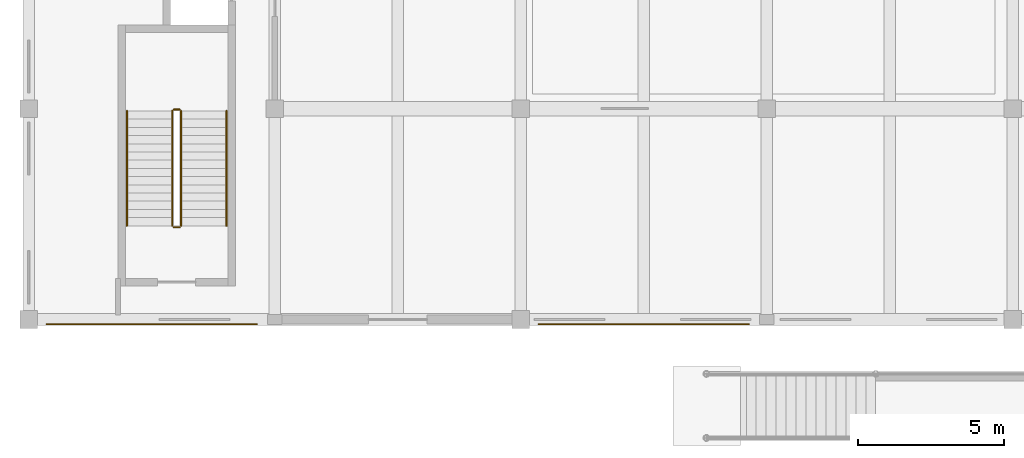
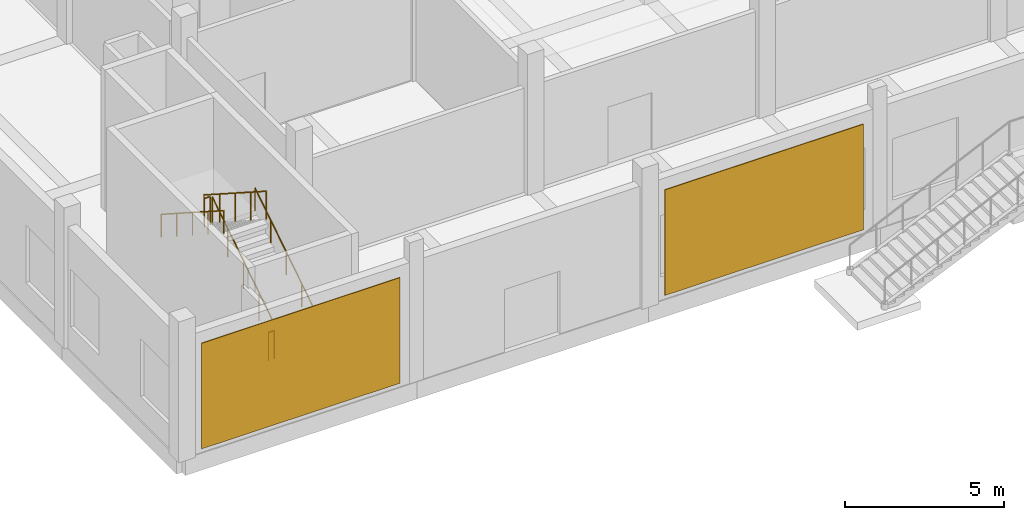
# One storey, part 31 of 41: 6 railings, 2 coverings.
"""IFC4 building model written with IfcOpenShell, lengths in metres."""

from ifc_helpers import new_model, si_unit, direction, frame, origin, origin_2d, place, context, subcontext, project, spatial, polyline, circle, outline, extrude, material, layer, layer_set, type_object, element, save


model = new_model("IFC4")

# Units and contexts
model_context = context("Model", 3, precision=1e-05, world=origin(), true_north=direction((0.0, 1.0)))
body_context = subcontext(model_context, "Body", "Model", "MODEL_VIEW")
ifc_project = project(units=[si_unit("LENGTHUNIT", "METRE"), si_unit("AREAUNIT", "SQUARE_METRE"), si_unit("VOLUMEUNIT", "CUBIC_METRE"), si_unit("PLANEANGLEUNIT", "RADIAN"), si_unit("MASSUNIT", "GRAM", prefix="KILO")], contexts=[model_context])

# Site, building, storey
site_placement = place(None, origin())
site = spatial("IfcSite", under=ifc_project, at=site_placement, CompositionType="ELEMENT")
building_placement = place(site_placement, origin())
building = spatial("IfcBuilding", under=site, at=building_placement, Name="Kahlenmark Community Centre", CompositionType="ELEMENT")
storey_placement = place(building_placement, origin())
storey = spatial("IfcBuildingStorey", under=building, at=storey_placement, Name="L00", CompositionType="ELEMENT", Elevation=0.0)

# Coverings
ifc_material_1 = material(Name="Honed Danube limestone plinth cladding", Category="masonry")
ifc_layer = layer(ifc_material_1, 0.0400390625)
ifc_layer_set = layer_set([ifc_layer], Name="Honed Danube limestone plinth cladding")
covering_type = type_object("IfcCoveringType", Name="CVT-CLAD-LIME", PredefinedType="CLADDING", material=ifc_layer_set)
covering_1_placement = place(storey_placement, frame((0.0, 0.0, 0.14990234375)))
element("IfcCovering", 1, at=covering_1_placement, inside=storey, type_object=covering_type, Name="Danube limestone plinth cladding 01", PredefinedType="CLADDING", context=body_context, shape_type="SweptSolid", body=[
    extrude(outline(polyline([(4.60009765625, 8.6201171875), (11.800048828125, 8.6201171875), (11.800048828125, 8.659912109375), (4.60009765625, 8.659912109375), (4.60009765625, 8.6201171875)])), origin(), (0.0, 0.0, 1.0), 4.050048828125),
])
covering_2_placement = place(storey_placement, frame((0.0, 0.0, 0.14990234375)))
element("IfcCovering", 2, at=covering_2_placement, inside=storey, type_object=covering_type, Name="Danube limestone plinth cladding 02", PredefinedType="CLADDING", context=body_context, shape_type="SweptSolid", body=[
    extrude(outline(polyline([(21.39990234375, 8.6201171875), (28.60009765625, 8.6201171875), (28.60009765625, 8.659912109375), (21.39990234375, 8.659912109375), (21.39990234375, 8.6201171875)])), origin(), (0.0, 0.0, 1.0), 4.050048828125),
])

# Railings
ifc_material_2 = material(Name="Brushed stainless steel 1.4301 handrail", Category="steel")
railing_type_1 = type_object("IfcRailingType", Name="RLT-HR-900", PredefinedType="HANDRAIL", material=ifc_material_2)
railing_1_placement = place(storey_placement, frame((10.75, 12.0, 0.179931640625)))
element("IfcRailing", 3, at=railing_1_placement, inside=storey, type_object=railing_type_1, Name="L00 ST-01 stair handrail 1", PredefinedType="HANDRAIL", context=body_context, shape_type="SweptSolid", body=[
    extrude(circle(Radius=0.02392578125, at=origin_2d()), frame((0.0, 0.0, 0.8759765625), z_axis=(0.0, 0.841171666519, 0.540768182723), x_axis=(-1.0, 0.0, 0.0)), (0.0, 0.0, 1.0), 4.66015625),
    extrude(circle(Radius=0.02099609375, at=origin_2d()), origin(), (0.0, 0.0, 1.0), 0.851806640625),
    extrude(circle(Radius=0.02099609375, at=origin_2d()), frame((0.0, 0.97998046875, 0.6298828125)), (0.0, 0.0, 1.0), 0.851806640625),
    extrude(circle(Radius=0.02099609375, at=origin_2d()), frame((0.0, 1.9599609375, 1.260009765625)), (0.0, 0.0, 1.0), 0.851806640625),
    extrude(circle(Radius=0.02099609375, at=origin_2d()), frame((0.0, 2.93994140625, 1.89013671875)), (0.0, 0.0, 1.0), 0.851806640625),
    extrude(circle(Radius=0.02099609375, at=origin_2d()), frame((0.0, 3.919921875, 2.52001953125)), (0.0, 0.0, 1.0), 0.851806640625),
])
railing_2_placement = place(storey_placement, frame((7.35009765625, 15.919921875, 2.8798828125)))
element("IfcRailing", 4, at=railing_2_placement, inside=storey, type_object=railing_type_1, Name="L00 ST-01 stair handrail 2", PredefinedType="HANDRAIL", context=body_context, shape_type="SweptSolid", body=[
    extrude(circle(Radius=0.02392578125, at=origin_2d()), frame((0.0, 0.0, 0.8759765625), z_axis=(0.0, -0.841171666519, 0.540768182723), x_axis=(1.0, 0.0, 0.0)), (0.0, 0.0, 1.0), 4.66015625),
    extrude(circle(Radius=0.02099609375, at=origin_2d()), origin(), (0.0, 0.0, 1.0), 0.851806640625),
    extrude(circle(Radius=0.02099609375, at=origin_2d()), frame((0.0, -0.97998046875, 0.6298828125)), (0.0, 0.0, 1.0), 0.851806640625),
    extrude(circle(Radius=0.02099609375, at=origin_2d()), frame((0.0, -1.9599609375, 1.260009765625)), (0.0, 0.0, 1.0), 0.851806640625),
    extrude(circle(Radius=0.02099609375, at=origin_2d()), frame((0.0, -2.93994140625, 1.89013671875)), (0.0, 0.0, 1.0), 0.851806640625),
    extrude(circle(Radius=0.02099609375, at=origin_2d()), frame((0.0, -3.919921875, 2.52001953125)), (0.0, 0.0, 1.0), 0.851806640625),
])
ifc_material_3 = material(Name="Powder-coated steel stair well guard", Category="steel")
railing_type_2 = type_object("IfcRailingType", Name="RLT-SG-1120", PredefinedType="GUARDRAIL", material=ifc_material_3)
railing_3_placement = place(storey_placement, frame((9.199951171875, 12.0, 0.179931640625)))
element("IfcRailing", 5, at=railing_3_placement, inside=storey, type_object=railing_type_2, Name="L00 ST-01 stair guard 1", PredefinedType="GUARDRAIL", context=body_context, shape_type="SweptSolid", body=[
    extrude(circle(Radius=0.02392578125, at=origin_2d()), frame((0.0, 0.0, 1.076171875), z_axis=(0.0, 0.841171666519, 0.540768182723), x_axis=(-1.0, 0.0, 0.0)), (0.0, 0.0, 1.0), 4.66015625),
    extrude(circle(Radius=0.02099609375, at=origin_2d()), origin(), (0.0, 0.0, 1.0), 1.052001953125),
    extrude(circle(Radius=0.02099609375, at=origin_2d()), frame((0.0, 0.97998046875, 0.6298828125)), (0.0, 0.0, 1.0), 1.052001953125),
    extrude(circle(Radius=0.02099609375, at=origin_2d()), frame((0.0, 1.9599609375, 1.260009765625)), (0.0, 0.0, 1.0), 1.052001953125),
    extrude(circle(Radius=0.02099609375, at=origin_2d()), frame((0.0, 2.93994140625, 1.89013671875)), (0.0, 0.0, 1.0), 1.052001953125),
    extrude(circle(Radius=0.02099609375, at=origin_2d()), frame((0.0, 3.919921875, 2.52001953125)), (0.0, 0.0, 1.0), 1.052001953125),
])
railing_4_placement = place(storey_placement, frame((9.14990234375, 15.969970703125, 2.699951171875)))
element("IfcRailing", 6, at=railing_4_placement, inside=storey, type_object=railing_type_2, Name="L00 ST-01 stair guard 2", PredefinedType="GUARDRAIL", context=body_context, shape_type="SweptSolid", body=[
    extrude(circle(Radius=0.02392578125, at=origin_2d()), frame((0.0, 0.0, 1.076171875), z_axis=(-1.0, 0.0, 0.0), x_axis=(0.0, -1.0, 0.0)), (0.0, 0.0, 1.0), 0.199951171875),
    extrude(circle(Radius=0.02099609375, at=origin_2d()), origin(), (0.0, 0.0, 1.0), 1.052001953125),
    extrude(circle(Radius=0.02099609375, at=origin_2d()), frame((-0.199951171875, 0.0, 0.0)), (0.0, 0.0, 1.0), 1.052001953125),
])
railing_5_placement = place(storey_placement, frame((8.89990234375, 15.919921875, 2.8798828125)))
element("IfcRailing", 7, at=railing_5_placement, inside=storey, type_object=railing_type_2, Name="L00 ST-01 stair guard 3", PredefinedType="GUARDRAIL", context=body_context, shape_type="SweptSolid", body=[
    extrude(circle(Radius=0.02392578125, at=origin_2d()), frame((0.0, 0.0, 1.076171875), z_axis=(0.0, -0.841171666519, 0.540768182723), x_axis=(1.0, 0.0, 0.0)), (0.0, 0.0, 1.0), 4.66015625),
    extrude(circle(Radius=0.02099609375, at=origin_2d()), origin(), (0.0, 0.0, 1.0), 1.052001953125),
    extrude(circle(Radius=0.02099609375, at=origin_2d()), frame((0.0, -0.97998046875, 0.6298828125)), (0.0, 0.0, 1.0), 1.052001953125),
    extrude(circle(Radius=0.02099609375, at=origin_2d()), frame((0.0, -1.9599609375, 1.260009765625)), (0.0, 0.0, 1.0), 1.052001953125),
    extrude(circle(Radius=0.02099609375, at=origin_2d()), frame((0.0, -2.93994140625, 1.89013671875)), (0.0, 0.0, 1.0), 1.052001953125),
    extrude(circle(Radius=0.02099609375, at=origin_2d()), frame((0.0, -3.919921875, 2.52001953125)), (0.0, 0.0, 1.0), 1.052001953125),
])
railing_6_placement = place(storey_placement, frame((9.14990234375, 11.949951171875, 0.0)))
element("IfcRailing", 8, at=railing_6_placement, inside=storey, type_object=railing_type_2, Name="L00 ST-01 stair guard 4", PredefinedType="GUARDRAIL", context=body_context, shape_type="SweptSolid", body=[
    extrude(circle(Radius=0.02392578125, at=origin_2d()), frame((0.0, 0.0, 1.076171875), z_axis=(-1.0, 0.0, 0.0), x_axis=(0.0, -1.0, 0.0)), (0.0, 0.0, 1.0), 0.199951171875),
    extrude(circle(Radius=0.02099609375, at=origin_2d()), origin(), (0.0, 0.0, 1.0), 1.052001953125),
    extrude(circle(Radius=0.02099609375, at=origin_2d()), frame((-0.199951171875, 0.0, 0.0)), (0.0, 0.0, 1.0), 1.052001953125),
])

save(model, "model.ifc")
